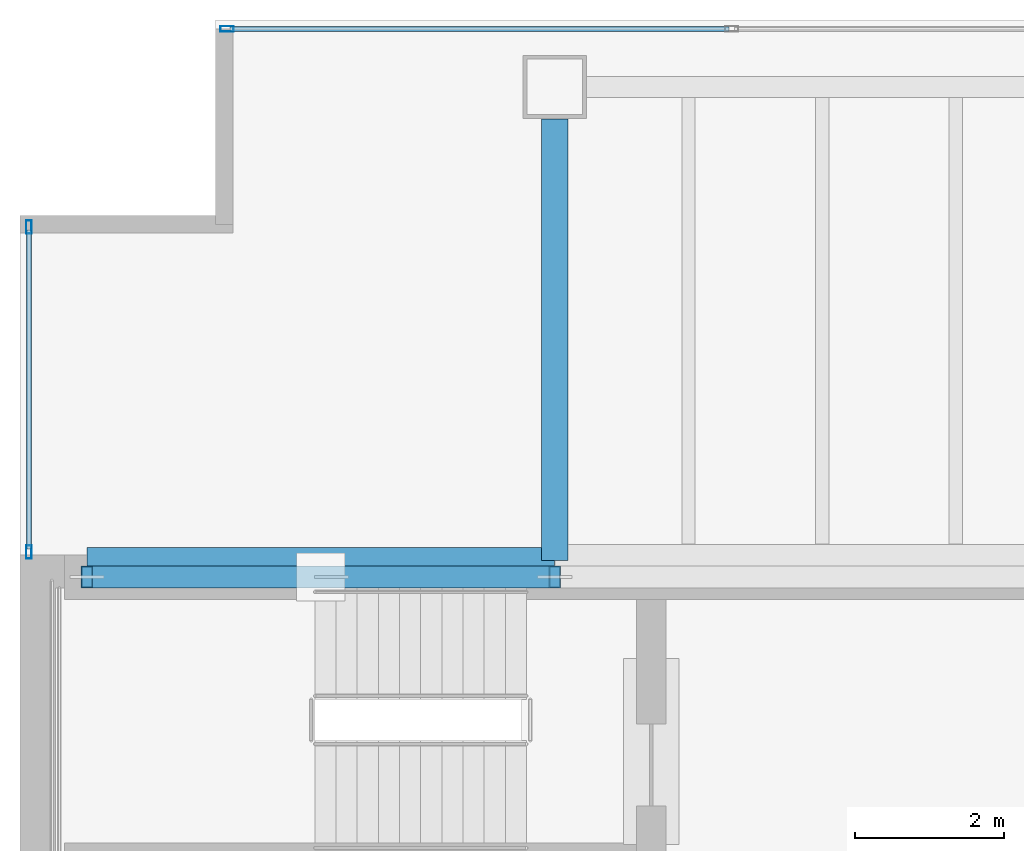
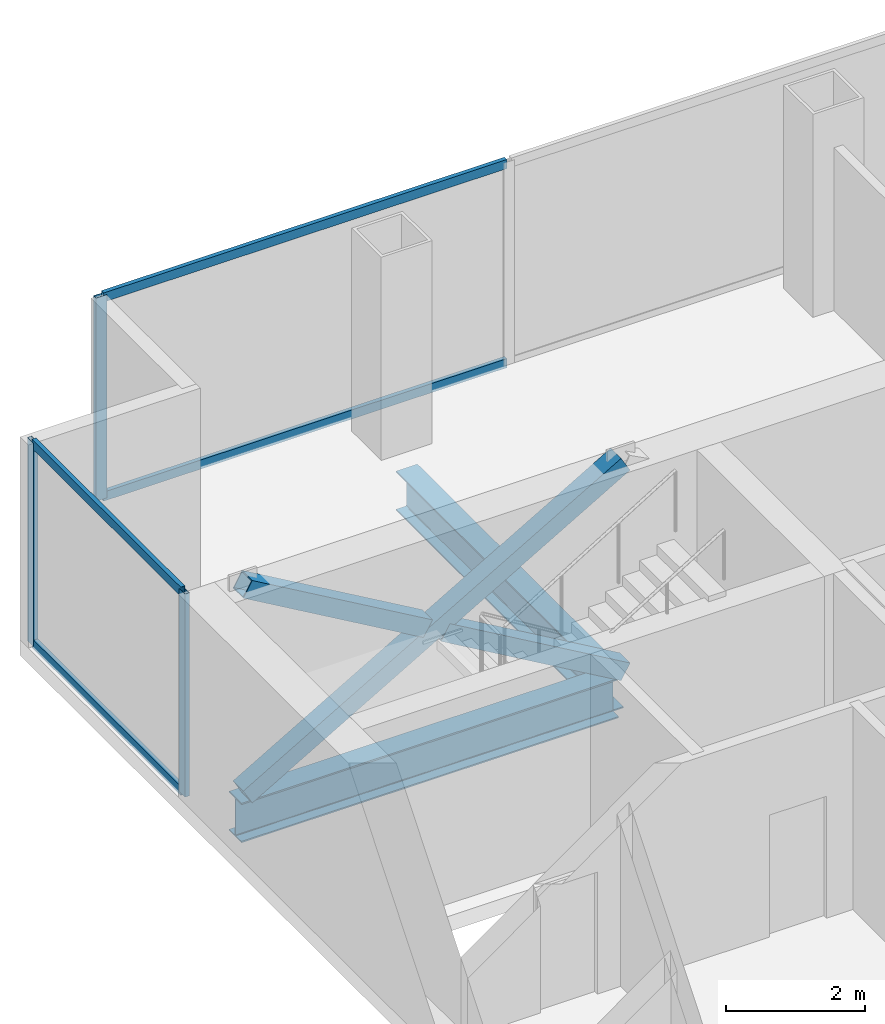
# One storey, part 16 of 23: 10 members, 2 beams, 2 elements without a shape of their own.
"""IFC4 building model written with IfcOpenShell, lengths in metres."""

from ifc_helpers import new_model, si_unit, direction, frame, origin, origin_2d, place, context, subcontext, project, spatial, hollow_rectangle, i_section, extrude, material, material_profile, profile_set, type_object, element, aggregate, save


model = new_model("IFC4")

# Units and contexts
model_context = context("Model", 3, precision=1e-05, world=origin(), true_north=direction((0.0, 1.0)))
body_context = subcontext(model_context, "Body", "Model", "MODEL_VIEW")
ifc_project = project(units=[si_unit("LENGTHUNIT", "METRE"), si_unit("AREAUNIT", "SQUARE_METRE"), si_unit("VOLUMEUNIT", "CUBIC_METRE"), si_unit("PLANEANGLEUNIT", "RADIAN"), si_unit("MASSUNIT", "GRAM", prefix="KILO")], contexts=[model_context])

# Site, building, storey
site_placement = place(None, origin())
site = spatial("IfcSite", under=ifc_project, at=site_placement, CompositionType="ELEMENT")
building_placement = place(site_placement, origin())
building = spatial("IfcBuilding", under=site, at=building_placement, Name="Cobrela Telecom Tower", CompositionType="ELEMENT")
storey_placement = place(building_placement, frame((0.0, 0.0, 156.10009765625)))
storey = spatial("IfcBuildingStorey", under=building, at=storey_placement, Name="L39", CompositionType="ELEMENT", Elevation=156.10009765625)

# Beams
ifc_material_1 = material(Name="Steel ASTM A992 Grade 50", Category="steel")
ifc_material_profile_1 = material_profile(ifc_material_1, i_section(OverallWidth=0.35595703125, OverallDepth=0.696044921875, WebThickness=0.015380859375, FlangeThickness=0.024658203125, FilletRadius=0.01806640625, at=origin_2d()), Name="W27X146")
ifc_profile_set_1 = profile_set([ifc_material_profile_1], Name="Steel ASTM A992 Grade 50")
beam_type = type_object("IfcBeamType", Name="BM-GIRD-05", PredefinedType="USERDEFINED", material=ifc_profile_set_1)
beam_1_placement = place(storey_placement, frame((0.905029296875, 35.919921875, -0.6181640625), z_axis=(1.0, 0.0, 0.0), x_axis=(0.0, 1.0, 0.0)))
element("IfcBeam", 1, at=beam_1_placement, inside=storey, type_object=beam_type, Name="L39 Primary Girder X21", ObjectType="GIRDER", PredefinedType="USERDEFINED", context=body_context, shape_type="SweptSolid", body=[
    extrude(i_section(OverallWidth=0.35595703125, OverallDepth=0.696044921875, WebThickness=0.015380859375, FlangeThickness=0.024658203125, FilletRadius=0.01806640625, at=origin_2d()), origin(), (0.0, 0.0, 1.0), 6.2900390625),
])
beam_2_placement = place(storey_placement, frame((7.199951171875, 35.925048828125, -0.6181640625), z_axis=(0.0, 1.0, 0.0), x_axis=(-1.0, 0.0, 0.0)))
element("IfcBeam", 2, at=beam_2_placement, inside=storey, type_object=beam_type, Name="L39 Primary Girder Y28", ObjectType="GIRDER", PredefinedType="USERDEFINED", context=body_context, shape_type="SweptSolid", body=[
    extrude(i_section(OverallWidth=0.35595703125, OverallDepth=0.696044921875, WebThickness=0.015380859375, FlangeThickness=0.024658203125, FilletRadius=0.01806640625, at=origin_2d()), origin(), (0.0, 0.0, 1.0), 5.945068359375),
])

# Curtain wall, members
ifc_material_2 = material(Name="Anodized Bronze Aluminium 6063-T6", Category="aluminium")
curtain_wall_type = type_object("IfcCurtainWallType", Name="CW-SYS-TEL", PredefinedType="USERDEFINED", material=ifc_material_2)
curtain_wall_1_placement = place(storey_placement, origin())
curtain_wall_1 = element("IfcCurtainWall", 3, at=curtain_wall_1_placement, inside=storey, type_object=curtain_wall_type, Name="L39 Unitised Bronze Curtain Wall 04", ObjectType="UNITISED CURTAIN WALL", PredefinedType="USERDEFINED")
ifc_material_profile_2 = material_profile(ifc_material_2, hollow_rectangle(XDim=0.074951171875, YDim=0.179931640625, WallThickness=0.00390625, at=origin_2d()), Name="ALU 75x180x4")
ifc_profile_set_2 = profile_set([ifc_material_profile_2], Name="Anodized Bronze Aluminium 6063-T6")
member_type_1 = type_object("IfcMemberType", Name="CW-SYS-TEL-MUL", PredefinedType="MULLION", material=ifc_profile_set_2)
member_1_placement = place(storey_placement, frame((0.1201171875, 36.03759765625, 0.0), z_axis=(0.0, 0.0, 1.0), x_axis=(-1.0, 0.0, 0.0)))
member_1 = element("IfcMember", 4, at=member_1_placement, type_object=member_type_1, Name="CW-TEL mullion 1", PredefinedType="MULLION", context=body_context, shape_type="SweptSolid", body=[
    extrude(hollow_rectangle(XDim=0.074951171875, YDim=0.179931640625, WallThickness=0.00390625, at=origin_2d()), origin(), (0.0, 0.0, 1.0), 3.579833984375),
])
member_2_placement = place(storey_placement, frame((0.1201171875, 40.41259765625, 0.0), z_axis=(0.0, 0.0, 1.0), x_axis=(-1.0, 0.0, 0.0)))
member_2 = element("IfcMember", 5, at=member_2_placement, type_object=member_type_1, Name="CW-TEL mullion 2", PredefinedType="MULLION", context=body_context, shape_type="SweptSolid", body=[
    extrude(hollow_rectangle(XDim=0.074951171875, YDim=0.179931640625, WallThickness=0.00390625, at=origin_2d()), origin(), (0.0, 0.0, 1.0), 3.579833984375),
])

# Curtain wall, member
curtain_wall_2_placement = place(storey_placement, origin())
curtain_wall_2 = element("IfcCurtainWall", 6, at=curtain_wall_2_placement, inside=storey, type_object=curtain_wall_type, Name="L39 Unitised Bronze Curtain Wall 07", ObjectType="UNITISED CURTAIN WALL", PredefinedType="USERDEFINED")
member_3_placement = place(storey_placement, frame((2.78759765625, 43.080078125, 0.0), z_axis=(0.0, 0.0, 1.0), x_axis=(0.0, 1.0, 0.0)))
member_3 = element("IfcMember", 7, at=member_3_placement, type_object=member_type_1, Name="CW-TEL mullion 1", PredefinedType="MULLION", context=body_context, shape_type="SweptSolid", body=[
    extrude(hollow_rectangle(XDim=0.074951171875, YDim=0.179931640625, WallThickness=0.00390625, at=origin_2d()), origin(), (0.0, 0.0, 1.0), 3.579833984375),
])

# Member
ifc_material_profile_3 = material_profile(ifc_material_2, hollow_rectangle(XDim=0.070068359375, YDim=0.159912109375, WallThickness=0.00390625, at=origin_2d()), Name="ALU 70x160x4")
ifc_profile_set_3 = profile_set([ifc_material_profile_3], Name="Anodized Bronze Aluminium 6063-T6")
member_type_2 = type_object("IfcMemberType", Name="CW-SYS-TEL-TRN", PredefinedType="USERDEFINED", material=ifc_profile_set_3)
member_4_placement = place(storey_placement, frame((0.1201171875, 36.074951171875, 0.034912109375), z_axis=(0.0, 1.0, 0.0), x_axis=(-1.0, 0.0, 0.0)))
member_4 = element("IfcMember", 8, at=member_4_placement, type_object=member_type_2, Name="CW-TEL transom 1.1", ObjectType="TRANSOM", PredefinedType="USERDEFINED", context=body_context, shape_type="SweptSolid", body=[
    extrude(hollow_rectangle(XDim=0.070068359375, YDim=0.159912109375, WallThickness=0.00390625, at=origin_2d()), origin(), (0.0, 0.0, 1.0), 4.300048828125),
])

member_5_placement = place(storey_placement, frame((0.1201171875, 36.074951171875, 3.544921875), z_axis=(0.0, 1.0, 0.0), x_axis=(-1.0, 0.0, 0.0)))
member_5 = element("IfcMember", 9, at=member_5_placement, type_object=member_type_2, Name="CW-TEL transom 1.2", ObjectType="TRANSOM", PredefinedType="USERDEFINED", context=body_context, shape_type="SweptSolid", body=[
    extrude(hollow_rectangle(XDim=0.070068359375, YDim=0.159912109375, WallThickness=0.00390625, at=origin_2d()), origin(), (0.0, 0.0, 1.0), 4.300048828125),
])

aggregate(curtain_wall_1, [member_1, member_2, member_4, member_5])

member_6_placement = place(storey_placement, frame((2.824951171875, 43.080078125, 0.034912109375), z_axis=(1.0, 0.0, 0.0), x_axis=(0.0, 1.0, 0.0)))
member_6 = element("IfcMember", 10, at=member_6_placement, type_object=member_type_2, Name="CW-TEL transom 1.1", ObjectType="TRANSOM", PredefinedType="USERDEFINED", context=body_context, shape_type="SweptSolid", body=[
    extrude(hollow_rectangle(XDim=0.070068359375, YDim=0.159912109375, WallThickness=0.00390625, at=origin_2d()), origin(), (0.0, 0.0, 1.0), 6.720947265625),
])

member_7_placement = place(storey_placement, frame((2.824951171875, 43.080078125, 3.544921875), z_axis=(1.0, 0.0, 0.0), x_axis=(0.0, 1.0, 0.0)))
member_7 = element("IfcMember", 11, at=member_7_placement, type_object=member_type_2, Name="CW-TEL transom 1.2", ObjectType="TRANSOM", PredefinedType="USERDEFINED", context=body_context, shape_type="SweptSolid", body=[
    extrude(hollow_rectangle(XDim=0.070068359375, YDim=0.159912109375, WallThickness=0.00390625, at=origin_2d()), origin(), (0.0, 0.0, 1.0), 6.720947265625),
])

aggregate(curtain_wall_2, [member_3, member_6, member_7])

# Members
ifc_material_3 = material(Name="Steel ASTM A572 Grade 50", Category="steel")
ifc_material_profile_4 = material_profile(ifc_material_3, hollow_rectangle(XDim=0.300048828125, YDim=0.300048828125, WallThickness=0.01611328125, at=origin_2d()), Name="HSS 300x300x16")
ifc_profile_set_4 = profile_set([ifc_material_profile_4], Name="Steel ASTM A572 Grade 50")
member_type_3 = type_object("IfcMemberType", Name="MBR-EXO-03", PredefinedType="BRACE", material=ifc_profile_set_4)
member_8_placement = place(storey_placement, frame((0.89990234375, 35.699951171875, -0.0400390625), z_axis=(0.864680500519, 0.0, 0.502322239228), x_axis=(0.0, 1.0, 0.0)))
element("IfcMember", 12, at=member_8_placement, inside=storey, type_object=member_type_3, Name="L39 Core Flange Steel X-Brace Continuous A", PredefinedType="BRACE", context=body_context, shape_type="SweptSolid", body=[
    extrude(hollow_rectangle(XDim=0.300048828125, YDim=0.300048828125, WallThickness=0.01611328125, at=origin_2d()), origin(), (0.0, 0.0, 1.0), 7.285888671875),
])
member_9_placement = place(storey_placement, frame((7.199951171875, 35.699951171875, -0.0400390625), z_axis=(-0.864666885148, 0.0, 0.502345675535), x_axis=(0.0, -1.0, 0.0)))
element("IfcMember", 13, at=member_9_placement, inside=storey, type_object=member_type_3, Name="L39 Core Flange Steel X-Brace Split B1", PredefinedType="BRACE", context=body_context, shape_type="SweptSolid", body=[
    extrude(hollow_rectangle(XDim=0.300048828125, YDim=0.300048828125, WallThickness=0.01611328125, at=origin_2d()), origin(), (0.0, 0.0, 1.0), 3.474853515625),
])
member_10_placement = place(storey_placement, frame((3.90478515625, 35.699951171875, 1.874267578125), z_axis=(-0.864684613256, 0.0, 0.502315159634), x_axis=(0.0, -1.0, 0.0)))
element("IfcMember", 14, at=member_10_placement, inside=storey, type_object=member_type_3, Name="L39 Core Flange Steel X-Brace Split B2", PredefinedType="BRACE", context=body_context, shape_type="SweptSolid", body=[
    extrude(hollow_rectangle(XDim=0.300048828125, YDim=0.300048828125, WallThickness=0.01611328125, at=origin_2d()), origin(), (0.0, 0.0, 1.0), 3.47509765625),
])

save(model, "model.ifc")
